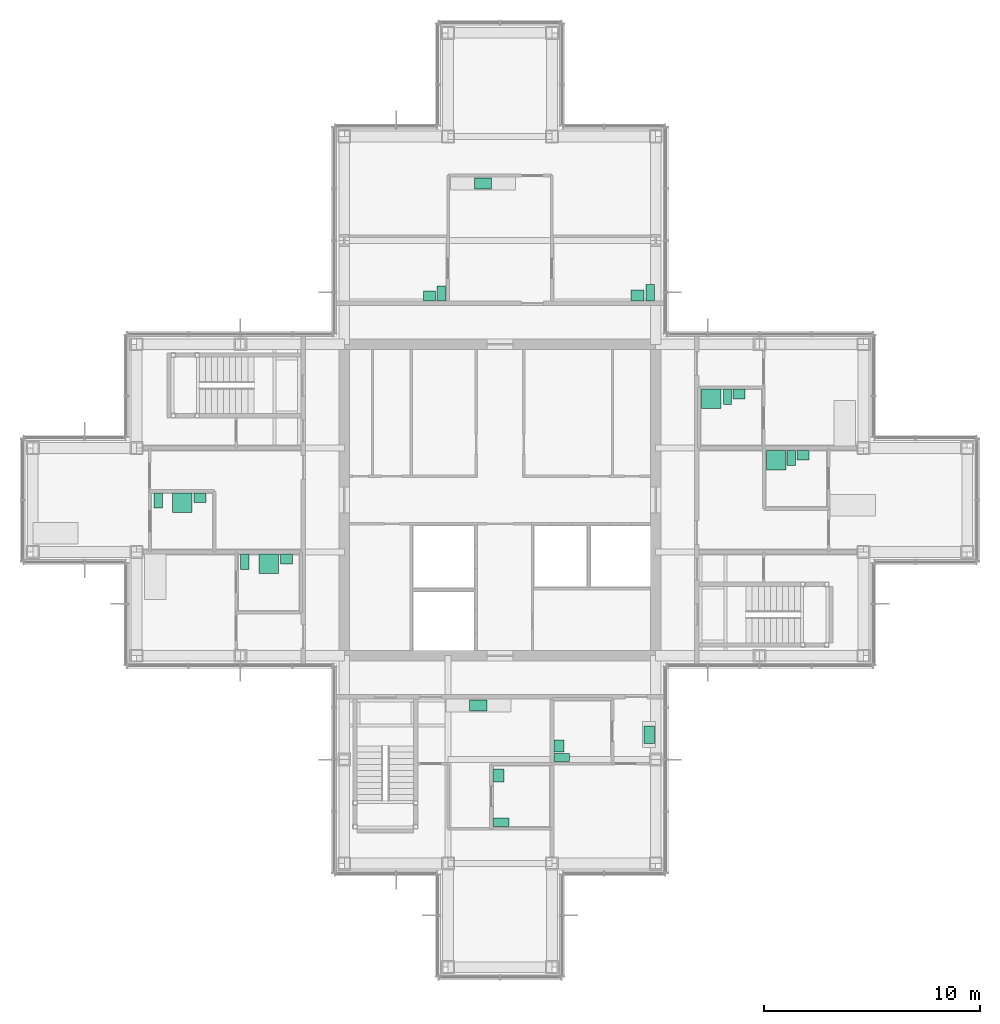
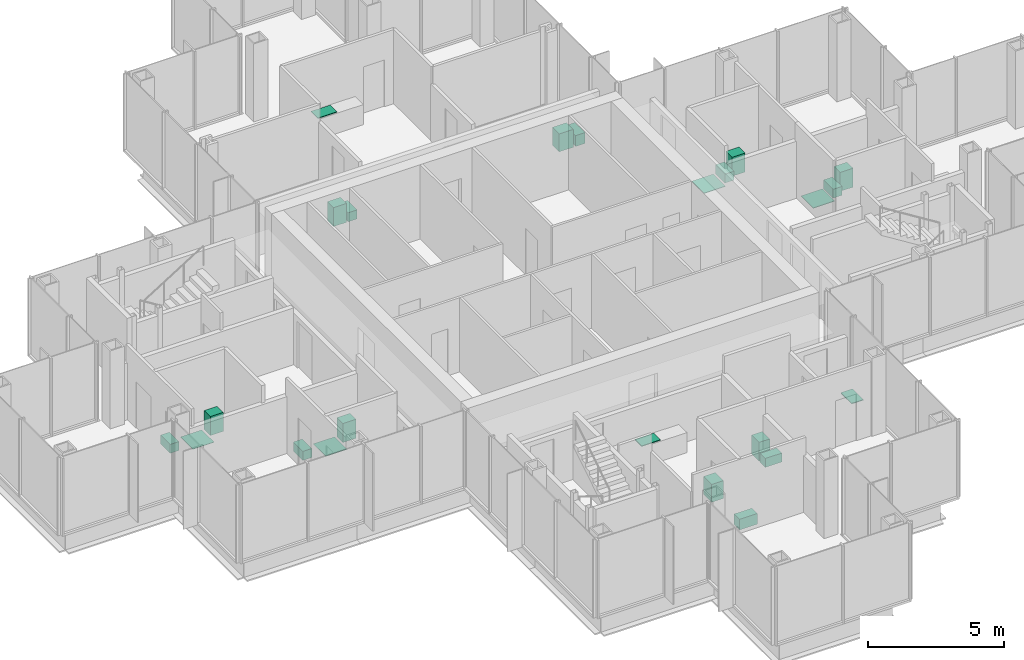
# One storey, part 16 of 17: 23 sanitary terminals.
"""IFC4 building model written with IfcOpenShell, lengths in metres."""

from ifc_helpers import new_model, si_unit, direction, frame, origin, origin_2d, place, context, subcontext, project, spatial, rectangle, extrude, material, type_object, element, save


model = new_model("IFC4")

# Units and contexts
model_context = context("Model", 3, precision=1e-05, world=origin(), true_north=direction((0.0, 1.0)))
body_context = subcontext(model_context, "Body", "Model", "MODEL_VIEW")
ifc_project = project(units=[si_unit("LENGTHUNIT", "METRE"), si_unit("AREAUNIT", "SQUARE_METRE"), si_unit("VOLUMEUNIT", "CUBIC_METRE"), si_unit("PLANEANGLEUNIT", "RADIAN"), si_unit("MASSUNIT", "GRAM", prefix="KILO")], contexts=[model_context])

# Site, building, storey
site_placement = place(None, origin())
site = spatial("IfcSite", under=ifc_project, at=site_placement, CompositionType="ELEMENT")
building_placement = place(site_placement, origin())
building = spatial("IfcBuilding", under=site, at=building_placement, Name="Kvirike Care Tower", CompositionType="ELEMENT")
storey_placement = place(building_placement, frame((0.0, 0.0, 162.0)))
storey = spatial("IfcBuildingStorey", under=building, at=storey_placement, Name="L44", CompositionType="ELEMENT", Elevation=162.0)

# Sanitary terminals
ifc_material_1 = material(Name="Vitreous china", Category="ceramic")
sanitary_terminal_type_1 = type_object("IfcSanitaryTerminalType", Name="ACCESSIBLE WASH BASIN 600 x 500", PredefinedType="WASHHANDBASIN", material=ifc_material_1)
for number, where, z_axis, x_axis, name in (
    (1, (21.527099609375, 23.260009765625, 0.02001953125), (0.0, 0.0, 1.0), (0.0, 1.0, 0.0), "Accessible wash basin L44-014"),
    (2, (27.949951171875, 45.451904296875, 0.02001953125), (0.0, 0.0, 1.0), (-1.0, 0.0, 0.0), "Accessible wash basin L44-021"),
):
    element("IfcSanitaryTerminal", number, at=place(storey_placement, frame(where, z_axis=z_axis, x_axis=x_axis)), inside=storey, type_object=sanitary_terminal_type_1, Name=name, PredefinedType="WASHHANDBASIN", context=body_context, shape_type="SweptSolid", body=[
        extrude(rectangle(XDim=0.60009765625, YDim=0.5, at=origin_2d()), origin(), (0.0, 0.0, 1.0), 0.800048828125),
    ])
ifc_material_2 = material(Name="Vitreous china", Category="ceramic")
sanitary_terminal_type_2 = type_object("IfcSanitaryTerminalType", Name="ACCESSIBLE WC PAN 400 x 750", PredefinedType="TOILETPAN", material=ifc_material_2)
for number, where, z_axis, x_axis, name in (
    (3, (21.652099609375, 21.110107421875, 0.02001953125), (0.0, 0.0, 1.0), (0.0, 1.0, 0.0), "Accessible WC pan L44-014"),
    (4, (28.550048828125, 45.576904296875, 0.02001953125), (0.0, 0.0, 1.0), (-1.0, 0.0, 0.0), "Accessible WC pan L44-021"),
):
    element("IfcSanitaryTerminal", number, at=place(storey_placement, frame(where, z_axis=z_axis, x_axis=x_axis)), inside=storey, type_object=sanitary_terminal_type_2, Name=name, PredefinedType="TOILETPAN", context=body_context, shape_type="SweptSolid", body=[
        extrude(rectangle(XDim=0.39990234375, YDim=0.75, at=origin_2d()), origin(), (0.0, 0.0, 1.0), 0.47998046875),
    ])
ifc_material_3 = material(Name="Stainless steel", Category="steel")
sanitary_terminal_type_3 = type_object("IfcSanitaryTerminalType", Name="KITCHEN SINK 800 x 500", PredefinedType="SINK", material=ifc_material_3)
for number, where, z_axis, x_axis, name in (
    (5, (20.60009765625, 26.498046875, 0.89990234375), (0.0, 0.0, 1.0), (1.0, 0.0, 0.0), "Kitchen sink L44-015"),
    (6, (28.498046875, 25.14990234375, 0.89990234375), (0.0, 0.0, 1.0), (0.0, -1.0, 0.0), "Kitchen sink L44-018"),
    (7, (20.81005859375, 50.637939453125, 0.89990234375), (0.0, 0.0, 1.0), (1.0, 0.0, 0.0), "Kitchen sink L44-023"),
):
    element("IfcSanitaryTerminal", number, at=place(storey_placement, frame(where, z_axis=z_axis, x_axis=x_axis)), inside=storey, type_object=sanitary_terminal_type_3, Name=name, PredefinedType="SINK", context=body_context, shape_type="SweptSolid", body=[
        extrude(rectangle(XDim=0.800048828125, YDim=0.5, at=origin_2d()), origin(), (0.0, 0.0, 1.0), 0.030029296875),
    ])
ifc_material_4 = material(Name="Stainless steel", Category="steel")
sanitary_terminal_type_4 = type_object("IfcSanitaryTerminalType", Name="LEVEL-ACCESS SHOWER 900 x 900", PredefinedType="SHOWER", material=ifc_material_4)
for number, where, z_axis, x_axis, name in (
    (8, (6.909912109375, 35.873046875, 0.02001953125), (0.0, 0.0, 1.0), (1.0, 0.0, 0.0), "Level-access shower L44-006"),
    (9, (10.909912109375, 33.048095703125, 0.02001953125), (0.0, 0.0, 1.0), (1.0, 0.0, 0.0), "Level-access shower L44-009"),
    (10, (34.375, 37.847900390625, 0.02001953125), (0.0, 0.0, 1.0), (1.0, 0.0, 0.0), "Level-access shower L44-029"),
    (11, (31.375, 40.673095703125, 0.02001953125), (0.0, 0.0, 1.0), (1.0, 0.0, 0.0), "Level-access shower L44-032"),
):
    element("IfcSanitaryTerminal", number, at=place(storey_placement, frame(where, z_axis=z_axis, x_axis=x_axis)), inside=storey, type_object=sanitary_terminal_type_4, Name=name, PredefinedType="SHOWER", context=body_context, shape_type="SweptSolid", body=[
        extrude(rectangle(XDim=0.89990234375, YDim=0.89990234375, at=origin_2d()), origin(), (0.0, 0.0, 1.0), 0.02001953125),
    ])
ifc_material_5 = material(Name="Vitreous china", Category="ceramic")
sanitary_terminal_type_5 = type_object("IfcSanitaryTerminalType", Name="WASH BASIN 550 x 450", PredefinedType="WASHHANDBASIN", material=ifc_material_5)
for number, where, z_axis, x_axis, name in (
    (12, (7.735107421875, 36.097900390625, 0.02001953125), (0.0, 0.0, 1.0), (1.0, 0.0, 0.0), "Wash basin L44-006"),
    (13, (11.735107421875, 33.27294921875, 0.02001953125), (0.0, 0.0, 1.0), (1.0, 0.0, 0.0), "Wash basin L44-009"),
    (14, (24.326904296875, 24.635009765625, 0.02001953125), (0.0, 0.0, 1.0), (0.0, 1.0, 0.0), "Wash basin L44-017"),
    (15, (18.35009765625, 45.427001953125, 0.02001953125), (0.0, 0.0, 1.0), (-1.0, 0.0, 0.0), "Wash basin L44-022"),
    (16, (35.60009765625, 38.072998046875, 0.02001953125), (0.0, 0.0, 1.0), (1.0, 0.0, 0.0), "Wash basin L44-029"),
    (17, (32.64990234375, 40.89794921875, 0.02001953125), (0.0, 0.0, 1.0), (1.0, 0.0, 0.0), "Wash basin L44-032"),
):
    element("IfcSanitaryTerminal", number, at=place(storey_placement, frame(where, z_axis=z_axis, x_axis=x_axis)), inside=storey, type_object=sanitary_terminal_type_5, Name=name, PredefinedType="WASHHANDBASIN", context=body_context, shape_type="SweptSolid", body=[
        extrude(rectangle(XDim=0.550048828125, YDim=0.449951171875, at=origin_2d()), origin(), (0.0, 0.0, 1.0), 0.85009765625),
    ])
ifc_material_6 = material(Name="Vitreous china", Category="ceramic")
sanitary_terminal_type_6 = type_object("IfcSanitaryTerminalType", Name="WC PAN 380 x 700", PredefinedType="TOILETPAN", material=ifc_material_6)
for number, where, z_axis, x_axis, name in (
    (18, (5.800048828125, 35.972900390625, 0.02001953125), (0.0, 0.0, 1.0), (1.0, 0.0, 0.0), "WC pan L44-006"),
    (19, (9.800048828125, 33.14794921875, 0.02001953125), (0.0, 0.0, 1.0), (1.0, 0.0, 0.0), "WC pan L44-009"),
    (20, (24.451904296875, 24.10009765625, 0.02001953125), (0.0, 0.0, 1.0), (0.0, 1.0, 0.0), "WC pan L44-017"),
    (21, (18.885009765625, 45.552001953125, 0.02001953125), (0.0, 0.0, 1.0), (-1.0, 0.0, 0.0), "WC pan L44-022"),
    (22, (35.06494140625, 37.947998046875, 0.02001953125), (0.0, 0.0, 1.0), (1.0, 0.0, 0.0), "WC pan L44-029"),
    (23, (32.114990234375, 40.77294921875, 0.02001953125), (0.0, 0.0, 1.0), (1.0, 0.0, 0.0), "WC pan L44-032"),
):
    element("IfcSanitaryTerminal", number, at=place(storey_placement, frame(where, z_axis=z_axis, x_axis=x_axis)), inside=storey, type_object=sanitary_terminal_type_6, Name=name, PredefinedType="TOILETPAN", context=body_context, shape_type="SweptSolid", body=[
        extrude(rectangle(XDim=0.3798828125, YDim=0.699951171875, at=origin_2d()), origin(), (0.0, 0.0, 1.0), 0.39990234375),
    ])

save(model, "model.ifc")
